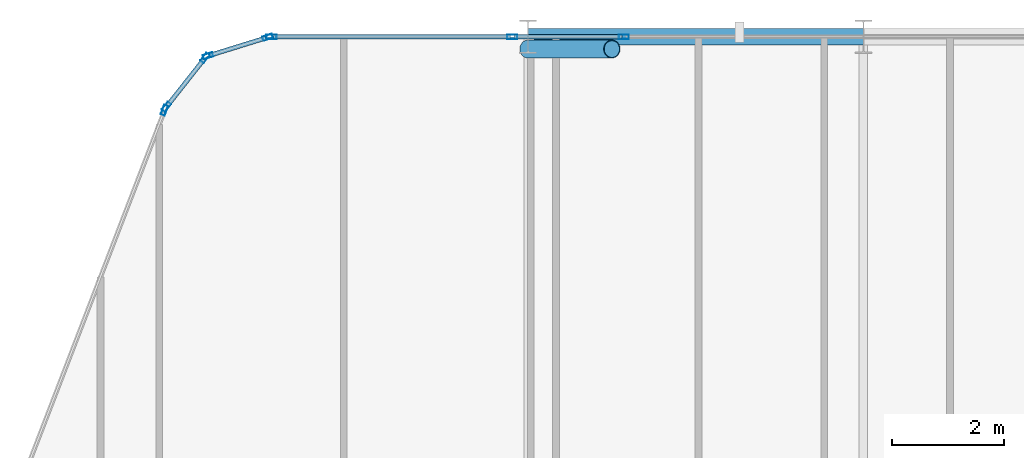
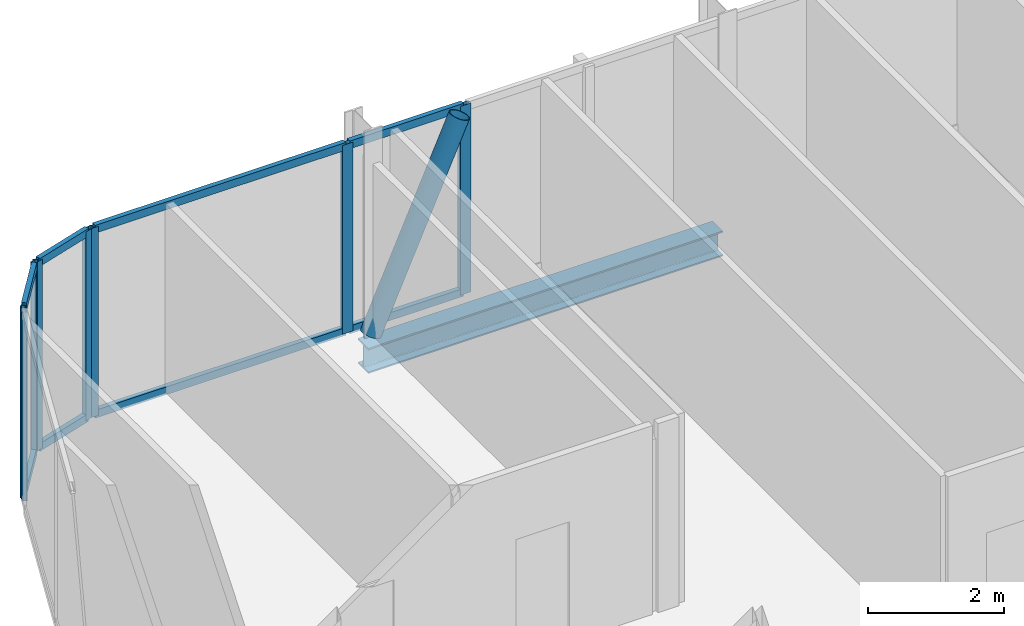
# One storey, part 16 of 30: 17 members, 1 beam, 5 elements without a shape of their own.
"""IFC4 building model written with IfcOpenShell, lengths in metres."""

from ifc_helpers import new_model, si_unit, direction, frame, origin, origin_2d, place, context, subcontext, project, spatial, hollow_rectangle, hollow_circle, i_section, extrude, material, layer, layer_set, material_profile, profile_set, type_object, element, aggregate, save


model = new_model("IFC4")

# Units and contexts
model_context = context("Model", 3, precision=1e-05, world=origin(), true_north=direction((0.0, 1.0)))
body_context = subcontext(model_context, "Body", "Model", "MODEL_VIEW")
ifc_project = project(units=[si_unit("LENGTHUNIT", "METRE"), si_unit("AREAUNIT", "SQUARE_METRE"), si_unit("VOLUMEUNIT", "CUBIC_METRE"), si_unit("PLANEANGLEUNIT", "RADIAN"), si_unit("MASSUNIT", "GRAM", prefix="KILO")], contexts=[model_context])

# Site, building, storey
site_placement = place(None, origin())
site = spatial("IfcSite", under=ifc_project, at=site_placement, CompositionType="ELEMENT")
building_placement = place(site_placement, origin())
building = spatial("IfcBuilding", under=site, at=building_placement, Name="Keshet Zoharim Tower", CompositionType="ELEMENT")
storey_placement = place(building_placement, frame((0.0, 0.0, 116.800048828125)))
storey = spatial("IfcBuildingStorey", under=building, at=storey_placement, Name="L28", CompositionType="ELEMENT", Elevation=116.800048828125)

# Beam
ifc_material_1 = material(Name="Steel S355", Category="steel")
ifc_material_profile_1 = material_profile(ifc_material_1, i_section(OverallWidth=0.300048828125, OverallDepth=0.449951171875, WebThickness=0.013916015625, FlangeThickness=0.02587890625, FilletRadius=0.027099609375, at=origin_2d()), Name="HEB450")
ifc_profile_set_1 = profile_set([ifc_material_profile_1], Name="Steel S355")
beam_type = type_object("IfcBeamType", Name="BM-WEB-HB450", PredefinedType="BEAM", material=ifc_profile_set_1)
beam_placement = place(storey_placement, frame((21.0, 53.89990234375, -0.5400390625), z_axis=(1.0, 0.0, 0.0), x_axis=(0.0, 1.0, 0.0)))
element("IfcBeam", 1, at=beam_placement, inside=storey, type_object=beam_type, Name="L28 Primary Girder X-019", PredefinedType="BEAM", context=body_context, shape_type="SweptSolid", body=[
    extrude(i_section(OverallWidth=0.300048828125, OverallDepth=0.449951171875, WebThickness=0.013916015625, FlangeThickness=0.02587890625, FilletRadius=0.027099609375, at=origin_2d()), origin(), (0.0, 0.0, 1.0), 6.0),
])

# Curtain wall, member
ifc_material_2 = material(Name="Aluminium 6063-T6", Category="aluminium")
ifc_layer = layer(ifc_material_2, 0.159912109375)
ifc_layer_set = layer_set([ifc_layer], Name="Aluminium 6063-T6")
curtain_wall_type = type_object("IfcCurtainWallType", Name="CW-SYS-03", PredefinedType="NOTDEFINED", material=ifc_layer_set)
curtain_wall_1_placement = place(storey_placement, origin())
curtain_wall_1 = element("IfcCurtainWall", 2, at=curtain_wall_1_placement, inside=storey, type_object=curtain_wall_type, Name="L28 Unitised Curtain Wall 10", PredefinedType="NOTDEFINED")
ifc_material_profile_2 = material_profile(ifc_material_2, hollow_rectangle(XDim=0.080078125, YDim=0.179931640625, WallThickness=0.00439453125, at=origin_2d()), Name="MUL-80x180")
ifc_profile_set_2 = profile_set([ifc_material_profile_2], Name="Aluminium 6063-T6")
member_type_1 = type_object("IfcMemberType", Name="CWM-M18", PredefinedType="MULLION", material=ifc_profile_set_2)
member_1_placement = place(storey_placement, frame((14.494384765625, 52.58544921875, 0.0), z_axis=(0.0, 0.0, 1.0), x_axis=(-0.933341404361, 0.358990003907, 0.0)))
member_1 = element("IfcMember", 3, at=member_1_placement, type_object=member_type_1, Name="CW-03 mullion 4", PredefinedType="MULLION", context=body_context, shape_type="SweptSolid", body=[
    extrude(hollow_rectangle(XDim=0.080078125, YDim=0.179931640625, WallThickness=0.00439453125, at=origin_2d()), origin(), (0.0, 0.0, 1.0), 3.3798828125),
])
aggregate(curtain_wall_1, [member_1])

# Curtain wall, members
curtain_wall_2_placement = place(storey_placement, origin())
curtain_wall_2 = element("IfcCurtainWall", 4, at=curtain_wall_2_placement, inside=storey, type_object=curtain_wall_type, Name="L28 Unitised Curtain Wall 11", PredefinedType="NOTDEFINED")
member_2_placement = place(storey_placement, frame((14.528564453125, 52.6455078125, 0.0), z_axis=(0.0, 0.0, 1.0), x_axis=(-0.785292825205, 0.619124525989, 0.0)))
member_2 = element("IfcMember", 5, at=member_2_placement, type_object=member_type_1, Name="CW-03 mullion 1", PredefinedType="MULLION", context=body_context, shape_type="SweptSolid", body=[
    extrude(hollow_rectangle(XDim=0.080078125, YDim=0.179931640625, WallThickness=0.00439453125, at=origin_2d()), origin(), (0.0, 0.0, 1.0), 3.3798828125),
])
member_3_placement = place(storey_placement, frame((15.21923828125, 53.521484375, 0.0), z_axis=(0.0, 0.0, 1.0), x_axis=(-0.785292825205, 0.619124525989, 0.0)))
member_3 = element("IfcMember", 6, at=member_3_placement, type_object=member_type_1, Name="CW-03 mullion 2", PredefinedType="MULLION", context=body_context, shape_type="SweptSolid", body=[
    extrude(hollow_rectangle(XDim=0.080078125, YDim=0.179931640625, WallThickness=0.00439453125, at=origin_2d()), origin(), (0.0, 0.0, 1.0), 3.3798828125),
])

curtain_wall_3_placement = place(storey_placement, origin())
curtain_wall_3 = element("IfcCurtainWall", 7, at=curtain_wall_3_placement, inside=storey, type_object=curtain_wall_type, Name="L28 Unitised Curtain Wall 12", PredefinedType="NOTDEFINED")
member_4_placement = place(storey_placement, frame((15.2744140625, 53.559326171875, 0.0), z_axis=(0.0, 0.0, 1.0), x_axis=(-0.295921857984, 0.955212151288, 0.0)))
member_4 = element("IfcMember", 8, at=member_4_placement, type_object=member_type_1, Name="CW-03 mullion 1", PredefinedType="MULLION", context=body_context, shape_type="SweptSolid", body=[
    extrude(hollow_rectangle(XDim=0.080078125, YDim=0.179931640625, WallThickness=0.00439453125, at=origin_2d()), origin(), (0.0, 0.0, 1.0), 3.3798828125),
])
member_5_placement = place(storey_placement, frame((16.340576171875, 53.8896484375, 0.0), z_axis=(0.0, 0.0, 1.0), x_axis=(-0.295921857984, 0.955212151288, 0.0)))
member_5 = element("IfcMember", 9, at=member_5_placement, type_object=member_type_1, Name="CW-03 mullion 2", PredefinedType="MULLION", context=body_context, shape_type="SweptSolid", body=[
    extrude(hollow_rectangle(XDim=0.080078125, YDim=0.179931640625, WallThickness=0.00439453125, at=origin_2d()), origin(), (0.0, 0.0, 1.0), 3.3798828125),
])

curtain_wall_4_placement = place(storey_placement, origin())
curtain_wall_4 = element("IfcCurtainWall", 10, at=curtain_wall_4_placement, inside=storey, type_object=curtain_wall_type, Name="L28 Unitised Curtain Wall 13", PredefinedType="NOTDEFINED")
member_6_placement = place(storey_placement, frame((16.408935546875, 53.89990234375, 0.0), z_axis=(0.0, 0.0, 1.0), x_axis=(0.0, 1.0, 0.0)))
member_6 = element("IfcMember", 11, at=member_6_placement, type_object=member_type_1, Name="CW-03 mullion 1", PredefinedType="MULLION", context=body_context, shape_type="SweptSolid", body=[
    extrude(hollow_rectangle(XDim=0.080078125, YDim=0.179931640625, WallThickness=0.00439453125, at=origin_2d()), origin(), (0.0, 0.0, 1.0), 3.3798828125),
])
member_7_placement = place(storey_placement, frame((20.717041015625, 53.89990234375, 0.0), z_axis=(0.0, 0.0, 1.0), x_axis=(0.0, 1.0, 0.0)))
member_7 = element("IfcMember", 12, at=member_7_placement, type_object=member_type_1, Name="CW-03 mullion 2", PredefinedType="MULLION", context=body_context, shape_type="SweptSolid", body=[
    extrude(hollow_rectangle(XDim=0.080078125, YDim=0.179931640625, WallThickness=0.00439453125, at=origin_2d()), origin(), (0.0, 0.0, 1.0), 3.3798828125),
])

# Curtain wall, member
curtain_wall_5_placement = place(storey_placement, origin())
curtain_wall_5 = element("IfcCurtainWall", 13, at=curtain_wall_5_placement, inside=storey, type_object=curtain_wall_type, Name="L28 Unitised Curtain Wall 13 Part 2", PredefinedType="NOTDEFINED")
member_8_placement = place(storey_placement, frame((22.712890625, 53.89990234375, 0.0), z_axis=(0.0, 0.0, 1.0), x_axis=(0.0, 1.0, 0.0)))
member_8 = element("IfcMember", 14, at=member_8_placement, type_object=member_type_1, Name="CW-03 mullion 2", PredefinedType="MULLION", context=body_context, shape_type="SweptSolid", body=[
    extrude(hollow_rectangle(XDim=0.080078125, YDim=0.179931640625, WallThickness=0.00439453125, at=origin_2d()), origin(), (0.0, 0.0, 1.0), 3.3798828125),
])

# Member
ifc_material_profile_3 = material_profile(ifc_material_2, hollow_rectangle(XDim=0.080078125, YDim=0.139892578125, WallThickness=0.00390625, at=origin_2d()), Name="TRN-80x140")
ifc_profile_set_3 = profile_set([ifc_material_profile_3], Name="Aluminium 6063-T6")
member_type_2 = type_object("IfcMemberType", Name="CWT-T14", PredefinedType="USERDEFINED", material=ifc_profile_set_3)
member_9_placement = place(storey_placement, frame((14.55029296875, 52.6728515625, 0.034912109375), z_axis=(0.619099165969, 0.78531281837, 0.0), x_axis=(-0.78531281837, 0.619099165969, 0.0)))
member_9 = element("IfcMember", 15, at=member_9_placement, type_object=member_type_2, Name="CW-03 transom 1.1", ObjectType="TRANSOM", PredefinedType="USERDEFINED", context=body_context, shape_type="SweptSolid", body=[
    extrude(hollow_rectangle(XDim=0.080078125, YDim=0.139892578125, WallThickness=0.00390625, at=origin_2d()), origin(), (0.0, 0.0, 1.0), 1.0458984375),
])

member_10_placement = place(storey_placement, frame((14.55029296875, 52.6728515625, 3.344970703125), z_axis=(0.619099165969, 0.78531281837, 0.0), x_axis=(-0.78531281837, 0.619099165969, 0.0)))
member_10 = element("IfcMember", 16, at=member_10_placement, type_object=member_type_2, Name="CW-03 transom 1.2", ObjectType="TRANSOM", PredefinedType="USERDEFINED", context=body_context, shape_type="SweptSolid", body=[
    extrude(hollow_rectangle(XDim=0.080078125, YDim=0.139892578125, WallThickness=0.00390625, at=origin_2d()), origin(), (0.0, 0.0, 1.0), 1.0458984375),
])

aggregate(curtain_wall_2, [member_2, member_3, member_9, member_10])

member_11_placement = place(storey_placement, frame((15.307861328125, 53.56982421875, 0.034912109375), z_axis=(0.955212093062, 0.295922045933, 0.0), x_axis=(-0.295922045933, 0.955212093062, 0.0)))
member_11 = element("IfcMember", 17, at=member_11_placement, type_object=member_type_2, Name="CW-03 transom 1.1", ObjectType="TRANSOM", PredefinedType="USERDEFINED", context=body_context, shape_type="SweptSolid", body=[
    extrude(hollow_rectangle(XDim=0.080078125, YDim=0.139892578125, WallThickness=0.00390625, at=origin_2d()), origin(), (0.0, 0.0, 1.0), 1.046142578125),
])

member_12_placement = place(storey_placement, frame((15.307861328125, 53.56982421875, 3.344970703125), z_axis=(0.955212093062, 0.295922045933, 0.0), x_axis=(-0.295922045933, 0.955212093062, 0.0)))
member_12 = element("IfcMember", 18, at=member_12_placement, type_object=member_type_2, Name="CW-03 transom 1.2", ObjectType="TRANSOM", PredefinedType="USERDEFINED", context=body_context, shape_type="SweptSolid", body=[
    extrude(hollow_rectangle(XDim=0.080078125, YDim=0.139892578125, WallThickness=0.00390625, at=origin_2d()), origin(), (0.0, 0.0, 1.0), 1.046142578125),
])

aggregate(curtain_wall_3, [member_4, member_5, member_11, member_12])

member_13_placement = place(storey_placement, frame((16.444091796875, 53.89990234375, 0.034912109375), z_axis=(1.0, 0.0, 0.0), x_axis=(0.0, 1.0, 0.0)))
member_13 = element("IfcMember", 19, at=member_13_placement, type_object=member_type_2, Name="CW-03 transom 1.1", ObjectType="TRANSOM", PredefinedType="USERDEFINED", context=body_context, shape_type="SweptSolid", body=[
    extrude(hollow_rectangle(XDim=0.080078125, YDim=0.139892578125, WallThickness=0.00390625, at=origin_2d()), origin(), (0.0, 0.0, 1.0), 4.23779296875),
])

member_14_placement = place(storey_placement, frame((16.444091796875, 53.89990234375, 3.344970703125), z_axis=(1.0, 0.0, 0.0), x_axis=(0.0, 1.0, 0.0)))
member_14 = element("IfcMember", 20, at=member_14_placement, type_object=member_type_2, Name="CW-03 transom 1.2", ObjectType="TRANSOM", PredefinedType="USERDEFINED", context=body_context, shape_type="SweptSolid", body=[
    extrude(hollow_rectangle(XDim=0.080078125, YDim=0.139892578125, WallThickness=0.00390625, at=origin_2d()), origin(), (0.0, 0.0, 1.0), 4.23779296875),
])

aggregate(curtain_wall_4, [member_6, member_7, member_13, member_14])

member_15_placement = place(storey_placement, frame((20.751953125, 53.89990234375, 0.034912109375), z_axis=(1.0, 0.0, 0.0), x_axis=(0.0, 1.0, 0.0)))
member_15 = element("IfcMember", 21, at=member_15_placement, type_object=member_type_2, Name="CW-03 transom 1.1", ObjectType="TRANSOM", PredefinedType="USERDEFINED", context=body_context, shape_type="SweptSolid", body=[
    extrude(hollow_rectangle(XDim=0.080078125, YDim=0.139892578125, WallThickness=0.00390625, at=origin_2d()), origin(), (0.0, 0.0, 1.0), 1.926025390625),
])

member_16_placement = place(storey_placement, frame((20.751953125, 53.89990234375, 3.344970703125), z_axis=(1.0, 0.0, 0.0), x_axis=(0.0, 1.0, 0.0)))
member_16 = element("IfcMember", 22, at=member_16_placement, type_object=member_type_2, Name="CW-03 transom 1.2", ObjectType="TRANSOM", PredefinedType="USERDEFINED", context=body_context, shape_type="SweptSolid", body=[
    extrude(hollow_rectangle(XDim=0.080078125, YDim=0.139892578125, WallThickness=0.00390625, at=origin_2d()), origin(), (0.0, 0.0, 1.0), 1.926025390625),
])

aggregate(curtain_wall_5, [member_8, member_15, member_16])

ifc_material_profile_4 = material_profile(ifc_material_1, hollow_circle(Radius=0.161865234375, WallThickness=0.012451171875, at=origin_2d()), Name="CHS323x12.5")
ifc_profile_set_4 = profile_set([ifc_material_profile_4], Name="Steel S355")
member_type_3 = type_object("IfcMemberType", Name="MB-BR-C323", PredefinedType="BRACE", material=ifc_profile_set_4)
member_17_placement = place(storey_placement, frame((21.0, 53.679931640625, 0.0), z_axis=(0.405648336366, 0.0, 0.914029226668), x_axis=(0.0, 1.0, 0.0)))
element("IfcMember", 23, at=member_17_placement, inside=storey, type_object=member_type_3, Name="L28 Perimeter Tube Brace 02", PredefinedType="BRACE", context=body_context, shape_type="SweptSolid", body=[
    extrude(hollow_circle(Radius=0.161865234375, WallThickness=0.012451171875, at=origin_2d()), origin(), (0.0, 0.0, 1.0), 3.69775390625),
])

save(model, "model.ifc")
